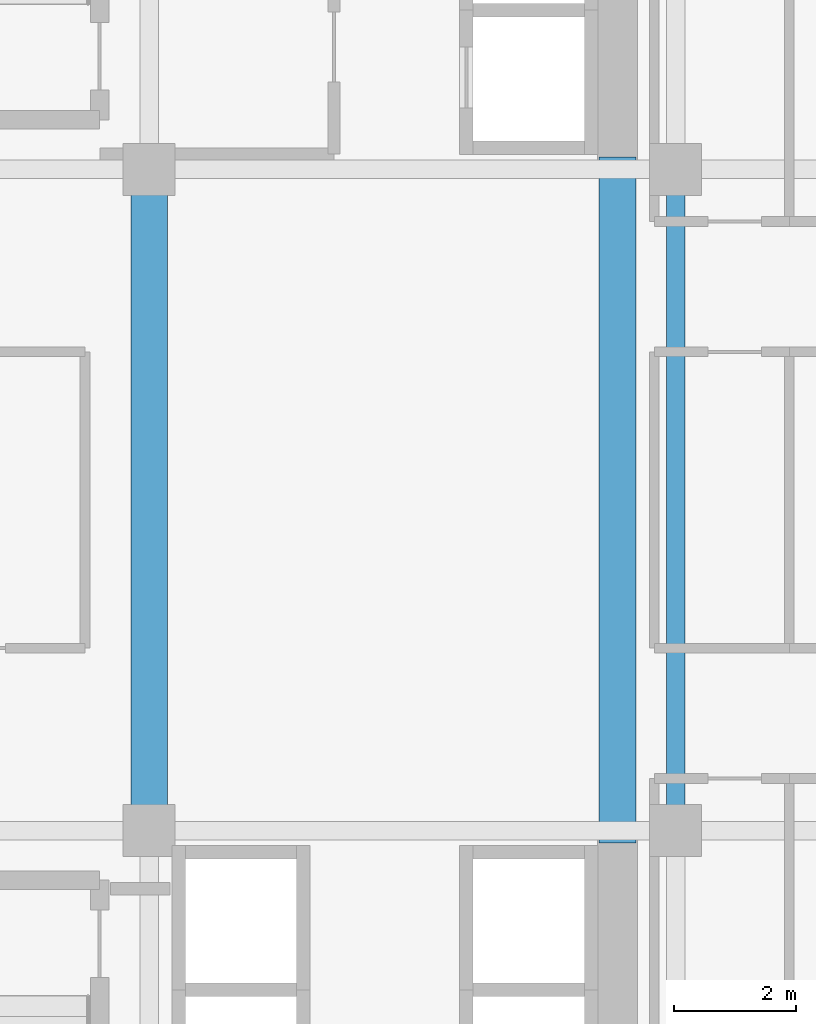
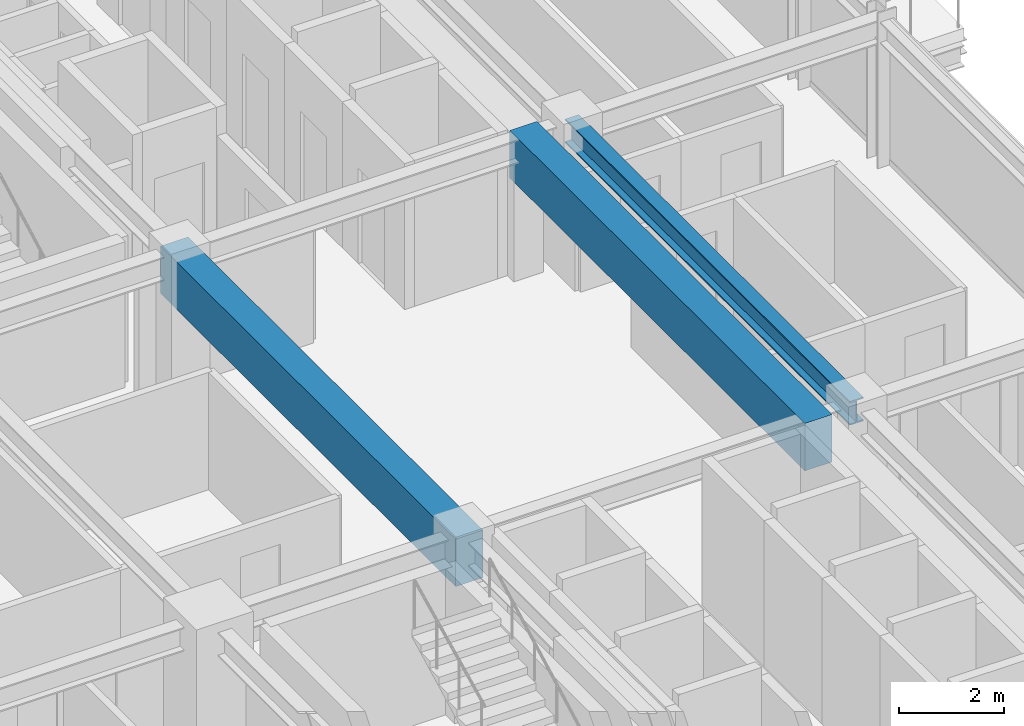
# One storey, part 15 of 33: 3 beams.
"""IFC4 building model written with IfcOpenShell, lengths in metres."""

from ifc_helpers import new_model, si_unit, direction, frame, origin, origin_2d, place, context, subcontext, project, spatial, rectangle, i_section, extrude, source, transform, mapped, material, material_profile, profile_set, type_object, element, save


model = new_model("IFC4")

# Units and contexts
model_context = context("Model", 3, precision=1e-05, world=origin(), true_north=direction((0.0, 1.0)))
body_context = subcontext(model_context, "Body", "Model", "MODEL_VIEW")
ifc_project = project(units=[si_unit("LENGTHUNIT", "METRE"), si_unit("AREAUNIT", "SQUARE_METRE"), si_unit("VOLUMEUNIT", "CUBIC_METRE"), si_unit("PLANEANGLEUNIT", "RADIAN"), si_unit("MASSUNIT", "GRAM", prefix="KILO")], contexts=[model_context])

# Site, building, storey
site_placement = place(None, origin())
site = spatial("IfcSite", under=ifc_project, at=site_placement, CompositionType="ELEMENT")
building_placement = place(site_placement, origin())
building = spatial("IfcBuilding", under=site, at=building_placement, Name="Nahalor Promenade Grand Hotel", CompositionType="ELEMENT")
storey_placement = place(building_placement, frame((0.0, 0.0, 132.10009765625)))
storey = spatial("IfcBuildingStorey", under=building, at=storey_placement, Name="L33", CompositionType="ELEMENT", Elevation=132.10009765625)

# Beams
ifc_material_1 = material(Name="Concrete B-60 (C50/60)", Category="concrete")
ifc_material_profile_1 = material_profile(ifc_material_1, rectangle(XDim=0.6, YDim=1.1, at=origin_2d()), Name="RC 600x1100")
ifc_profile_set_1 = profile_set([ifc_material_profile_1], Name="Concrete B-60 (C50/60)")
beam_type_1 = type_object("IfcBeamType", Name="Beam-Lintel-RC1100", PredefinedType="LINTEL", material=ifc_profile_set_1)
shared_shape_1 = source(origin(), body_context, "Body", "SweptSolid", [
    extrude(rectangle(XDim=0.6, YDim=1.1, at=origin_2d()), origin(), (0.0, 0.0, 1.0), 11.2001953125),
])
for number, where, z_axis, x_axis, name in (
    (1, (8.39990234375, -5.60009765625, 2.829833984375), (0.0, 1.0, 0.0), (-1.0, 0.0, 0.0), "BM-L33-LINT-W"),
    (2, (16.050048828125, -5.60009765625, 2.829833984375), (0.0, 1.0, 0.0), (-1.0, 0.0, 0.0), "BM-L33-LINT-E"),
):
    element("IfcBeam", number, at=place(storey_placement, frame(where, z_axis=z_axis, x_axis=x_axis)), inside=storey, type_object=beam_type_1, Name=name, PredefinedType="LINTEL", context=body_context, shape_type="MappedRepresentation", body=[
        mapped(shared_shape_1, transform((0.0, 0.0, 0.0), scale=1.0)),
    ])
ifc_material_2 = material(Name="Steel S355JR", Category="steel")
ifc_material_profile_2 = material_profile(ifc_material_2, i_section(OverallWidth=0.3, OverallDepth=0.55, WebThickness=0.015, FlangeThickness=0.029, at=origin_2d()), Name="HEB 550")
ifc_profile_set_2 = profile_set([ifc_material_profile_2], Name="Steel S355JR")
beam_type_2 = type_object("IfcBeamType", Name="Beam-Girder-HEB550", PredefinedType="BEAM", material=ifc_profile_set_2)
shared_shape_2 = source(origin(), body_context, "Body", "SweptSolid", [
    extrude(i_section(OverallWidth=0.3, OverallDepth=0.55, WebThickness=0.015, FlangeThickness=0.029, at=origin_2d()), origin(), (0.0, 0.0, 1.0), 10.7998046875),
])
beam_placement = place(storey_placement, frame((17.0, -5.39990234375, 3.10498046875), z_axis=(0.0, 1.0, 0.0), x_axis=(-1.0, 0.0, 0.0)))
element("IfcBeam", 3, at=beam_placement, inside=storey, type_object=beam_type_2, Name="BM-L33-GY-5-2", PredefinedType="BEAM", context=body_context, shape_type="MappedRepresentation", body=[
    mapped(shared_shape_2, transform((0.0, 0.0, 0.0), scale=1.0)),
])

save(model, "model.ifc")
